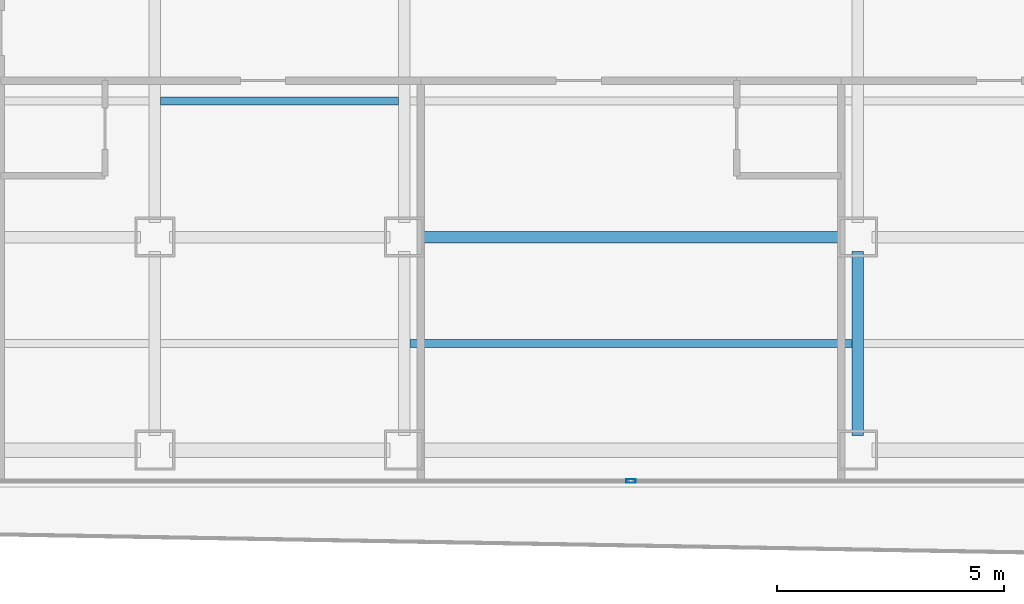
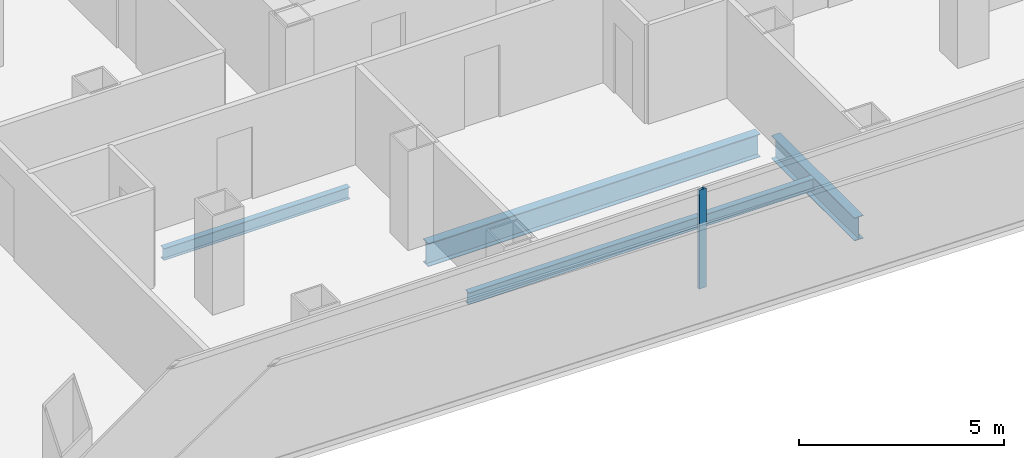
# One storey, part 4 of 21: 4 beams, 1 member, 1 element without a shape of its own.
"""IFC4 building model written with IfcOpenShell, lengths in metres."""

from ifc_helpers import new_model, si_unit, direction, frame, origin, origin_2d, place, context, subcontext, project, spatial, hollow_rectangle, i_section, extrude, source, transform, mapped, material, layer, layer_set, material_profile, profile_set, type_object, element, aggregate, save


model = new_model("IFC4")

# Units and contexts
model_context = context("Model", 3, precision=1e-05, world=origin(), true_north=direction((0.0, 1.0)))
body_context = subcontext(model_context, "Body", "Model", "MODEL_VIEW")
ifc_project = project(units=[si_unit("LENGTHUNIT", "METRE"), si_unit("AREAUNIT", "SQUARE_METRE"), si_unit("VOLUMEUNIT", "CUBIC_METRE"), si_unit("PLANEANGLEUNIT", "RADIAN"), si_unit("MASSUNIT", "GRAM", prefix="KILO")], contexts=[model_context])

# Site, building, storey
site_placement = place(None, origin())
site = spatial("IfcSite", under=ifc_project, at=site_placement, CompositionType="ELEMENT")
building_placement = place(site_placement, origin())
building = spatial("IfcBuilding", under=site, at=building_placement, Name="Kolveth Station Tower", CompositionType="ELEMENT")
storey_placement = place(building_placement, frame((0.0, 0.0, 127.89990234375)))
storey = spatial("IfcBuildingStorey", under=building, at=storey_placement, Name="L35", CompositionType="ELEMENT", Elevation=127.89990234375)

# Beams
ifc_material_1 = material(Name="Steel S355", Category="steel")
ifc_material_profile_1 = material_profile(ifc_material_1, i_section(OverallWidth=0.25390625, OverallDepth=0.68798828125, WebThickness=0.01318359375, FlangeThickness=0.02099609375, at=origin_2d()), Name="W690x152")
ifc_profile_set_1 = profile_set([ifc_material_profile_1], Name="Steel S355")
beam_type_1 = type_object("IfcBeamType", Name="Beam_B4", PredefinedType="BEAM", material=ifc_profile_set_1)
shared_shape_1 = source(origin(), body_context, "Body", "SweptSolid", [
    extrude(i_section(OverallWidth=0.25390625, OverallDepth=0.68798828125, WebThickness=0.01318359375, FlangeThickness=0.02099609375, at=origin_2d()), origin(), (0.0, 0.0, 1.0), 9.35986328125),
])
beam_1_placement = place(storey_placement, frame((18.820068359375, 5.5, -0.593994140625), z_axis=(1.0, 0.0, 0.0), x_axis=(0.0, 1.0, 0.0)))
element("IfcBeam", 1, at=beam_1_placement, inside=storey, type_object=beam_type_1, Name="L35 Primary Girder BM-L35-GY55-4", PredefinedType="BEAM", context=body_context, shape_type="MappedRepresentation", body=[
    mapped(shared_shape_1, transform((0.0, 0.0, 0.0), x_axis=(1.0, 0.0, 0.0), y_axis=(0.0, 1.0, 0.0), z_axis=(0.0, 0.0, 1.0), scale=1.0)),
])
shared_shape_2 = source(origin(), body_context, "Body", "SweptSolid", [
    extrude(i_section(OverallWidth=0.25390625, OverallDepth=0.68798828125, WebThickness=0.01318359375, FlangeThickness=0.02099609375, at=origin_2d()), origin(), (0.0, 0.0, 1.0), 4.059814453125),
])
beam_2_placement = place(storey_placement, frame((28.5, 1.1201171875, -0.593994140625), z_axis=(0.0, 1.0, 0.0), x_axis=(-1.0, 0.0, 0.0)))
element("IfcBeam", 2, at=beam_2_placement, inside=storey, type_object=beam_type_1, Name="L35 Primary Girder BM-L35-GX285-1", PredefinedType="BEAM", context=body_context, shape_type="MappedRepresentation", body=[
    mapped(shared_shape_2, transform((0.0, 0.0, 0.0), x_axis=(1.0, 0.0, 0.0), y_axis=(0.0, 1.0, 0.0), z_axis=(0.0, 0.0, 1.0), scale=1.0)),
])
ifc_material_profile_2 = material_profile(ifc_material_1, i_section(OverallWidth=0.1708984375, OverallDepth=0.35205078125, WebThickness=0.0068359375, FlangeThickness=0.009765625, at=origin_2d()), Name="W360x44")
ifc_profile_set_2 = profile_set([ifc_material_profile_2], Name="Steel S355")
beam_type_2 = type_object("IfcBeamType", Name="Beam_J2", PredefinedType="JOIST", material=ifc_profile_set_2)
shared_shape_3 = source(origin(), body_context, "Body", "SweptSolid", [
    extrude(i_section(OverallWidth=0.1708984375, OverallDepth=0.35205078125, WebThickness=0.0068359375, FlangeThickness=0.009765625, at=origin_2d()), origin(), (0.0, 0.0, 1.0), 5.25),
])
beam_3_placement = place(storey_placement, frame((13.125, 8.5, -0.42578125), z_axis=(1.0, 0.0, 0.0), x_axis=(0.0, 1.0, 0.0)))
element("IfcBeam", 3, at=beam_3_placement, inside=storey, type_object=beam_type_2, Name="L35 Secondary Joist JST-L35-3-2", PredefinedType="JOIST", context=body_context, shape_type="MappedRepresentation", body=[
    mapped(shared_shape_3, transform((0.0, 0.0, 0.0), x_axis=(1.0, 0.0, 0.0), y_axis=(0.0, 1.0, 0.0), z_axis=(0.0, 0.0, 1.0), scale=1.0)),
])
shared_shape_4 = source(origin(), body_context, "Body", "SweptSolid", [
    extrude(i_section(OverallWidth=0.1708984375, OverallDepth=0.35205078125, WebThickness=0.0068359375, FlangeThickness=0.009765625, at=origin_2d()), origin(), (0.0, 0.0, 1.0), 9.75),
])
beam_4_placement = place(storey_placement, frame((18.625, 3.14990234375, -0.42578125), z_axis=(1.0, 0.0, 0.0), x_axis=(0.0, 1.0, 0.0)))
element("IfcBeam", 4, at=beam_4_placement, inside=storey, type_object=beam_type_2, Name="L35 Secondary Joist JST-L35-4-1", PredefinedType="JOIST", context=body_context, shape_type="MappedRepresentation", body=[
    mapped(shared_shape_4, transform((0.0, 0.0, 0.0), x_axis=(1.0, 0.0, 0.0), y_axis=(0.0, 1.0, 0.0), z_axis=(0.0, 0.0, 1.0), scale=1.0)),
])

# Curtain wall, member
ifc_material_2 = material(Name="Aluminium 6063-T6 and low-E dark glass", Category="aluminium")
ifc_layer = layer(ifc_material_2, 0.18994140625)
ifc_layer_set = layer_set([ifc_layer], Name="Aluminium 6063-T6 and low-E dark glass")
curtain_wall_type = type_object("IfcCurtainWallType", Name="CurtainWall_CW-Z2", PredefinedType="NOTDEFINED", material=ifc_layer_set)
curtain_wall_placement = place(storey_placement, origin())
curtain_wall = element("IfcCurtainWall", 5, at=curtain_wall_placement, inside=storey, type_object=curtain_wall_type, Name="L35 Inner Thermal Curtain Wall 12", PredefinedType="NOTDEFINED")
ifc_material_3 = material(Name="Black anodized aluminium 6063-T6", Category="aluminium")
ifc_material_profile_3 = material_profile(ifc_material_3, hollow_rectangle(XDim=0.080078125, YDim=0.199951171875, WallThickness=0.0048828125, at=origin_2d()), Name="ALU-80x200x5")
ifc_profile_set_3 = profile_set([ifc_material_profile_3], Name="Black anodized aluminium 6063-T6")
member_type = type_object("IfcMemberType", Name="Mullion_ML2", PredefinedType="MULLION", material=ifc_profile_set_3)
shared_shape_5 = source(origin(), body_context, "Body", "SweptSolid", [
    extrude(hollow_rectangle(XDim=0.080078125, YDim=0.199951171875, WallThickness=0.0048828125, at=origin_2d()), origin(), (0.0, 0.0, 1.0), 2.9501953125),
])
member_placement = place(storey_placement, frame((23.5, 0.1201171875, 0.0), z_axis=(0.0, 0.0, 1.0), x_axis=(0.0, 1.0, 0.0)))
member = element("IfcMember", 6, at=member_placement, type_object=member_type, Name="CW-Z2 mullion 2", PredefinedType="MULLION", context=body_context, shape_type="MappedRepresentation", body=[
    mapped(shared_shape_5, transform((0.0, 0.0, 0.0), x_axis=(1.0, 0.0, 0.0), y_axis=(0.0, 1.0, 0.0), z_axis=(0.0, 0.0, 1.0), scale=1.0)),
])
aggregate(curtain_wall, [member])

save(model, "model.ifc")
